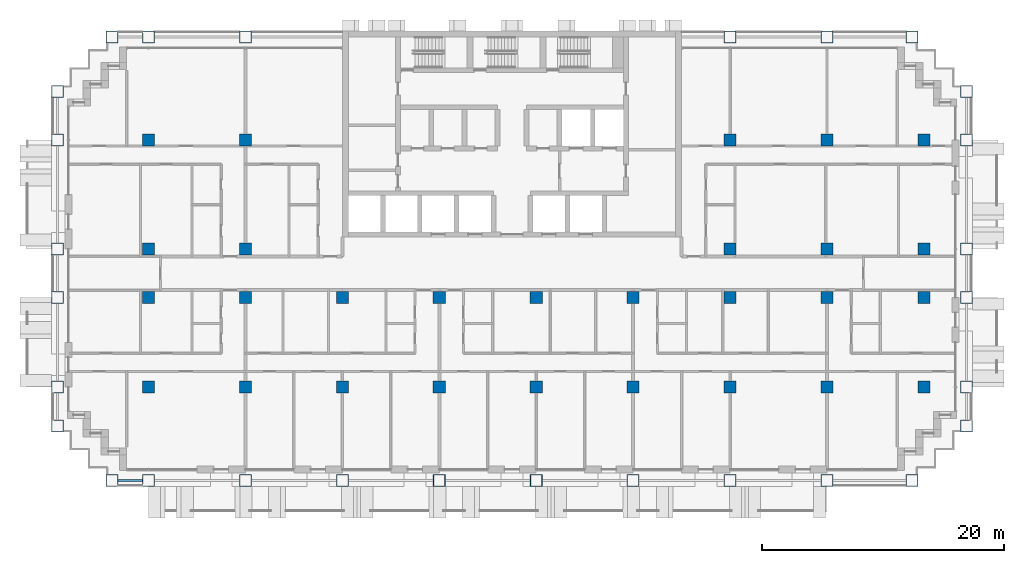
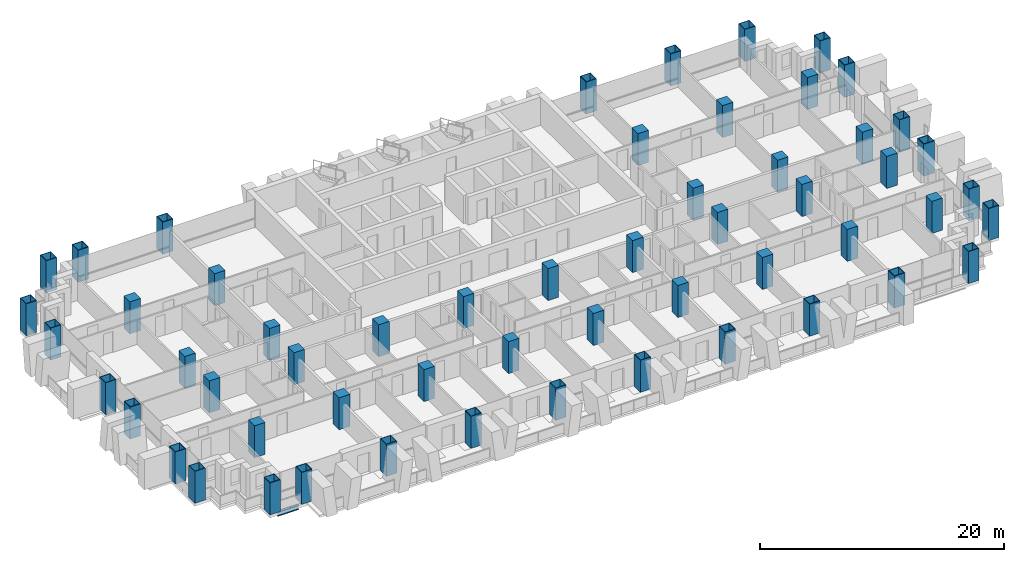
# One storey, part 1 of 19: 56 columns, 1 beam.
"""IFC4 building model written with IfcOpenShell, lengths in metres."""

from ifc_helpers import new_model, si_unit, direction, frame, origin, origin_2d, place, context, subcontext, project, spatial, rectangle, hollow_rectangle, i_section, extrude, material, material_profile, profile_set, type_object, element, save


model = new_model("IFC4")

# Units and contexts
model_context = context("Model", 3, precision=1e-05, world=origin(), true_north=direction((0.0, 1.0)))
body_context = subcontext(model_context, "Body", "Model", "MODEL_VIEW")
ifc_project = project(units=[si_unit("LENGTHUNIT", "METRE"), si_unit("AREAUNIT", "SQUARE_METRE"), si_unit("VOLUMEUNIT", "CUBIC_METRE"), si_unit("PLANEANGLEUNIT", "RADIAN"), si_unit("MASSUNIT", "GRAM", prefix="KILO")], contexts=[model_context])

# Site, building, storey
site_placement = place(None, origin())
site = spatial("IfcSite", under=ifc_project, at=site_placement, CompositionType="ELEMENT")
building_placement = place(site_placement, origin())
building = spatial("IfcBuilding", under=site, at=building_placement, Name="Vidyagriha Tower", CompositionType="ELEMENT")
storey_placement = place(building_placement, frame((0.0, 0.0, 60.800048828125)))
storey = spatial("IfcBuildingStorey", under=building, at=storey_placement, Name="L16", CompositionType="ELEMENT", Elevation=60.800048828125)

# Columns
ifc_material_1 = material(Name="Steel ASTM A572 Grade 50", Category="steel")
ifc_material_profile_1 = material_profile(ifc_material_1, hollow_rectangle(XDim=1.0, YDim=1.0, WallThickness=0.050048828125, at=origin_2d()), Name="BOX 1000x1000x50")
ifc_profile_set_1 = profile_set([ifc_material_profile_1], Name="Steel ASTM A572 Grade 50")
column_type_1 = type_object("IfcColumnType", Name="Exoskeleton column BOX 1000x1000x50", PredefinedType="COLUMN", material=ifc_profile_set_1)
for number, where, name in (
    (1, (-33.0, -17.10009765625, 0.0), "st-col-L16-B1-001"),
    (2, (-30.0, -17.10009765625, 0.0), "st-col-L16-B1-002"),
    (3, (-22.0, -17.10009765625, 0.0), "st-col-L16-B1-003"),
    (4, (-14.0, -17.10009765625, 0.0), "st-col-L16-B1-004"),
    (5, (-6.0, -17.10009765625, 0.0), "st-col-L16-B1-005"),
    (6, (2.0, -17.10009765625, 0.0), "st-col-L16-B1-006"),
    (7, (10.0, -17.10009765625, 0.0), "st-col-L16-B1-007"),
    (8, (18.0, -17.10009765625, 0.0), "st-col-L16-B1-008"),
    (9, (26.0, -17.10009765625, 0.0), "st-col-L16-B1-009"),
    (10, (33.0, -17.10009765625, 0.0), "st-col-L16-B1-010"),
    (11, (-37.5, -12.60009765625, 0.0), "st-col-L16-B1-011"),
    (12, (37.5, -12.60009765625, 0.0), "st-col-L16-B1-012"),
    (13, (-37.5, -9.39990234375, 0.0), "st-col-L16-B1-013"),
    (14, (37.5, -9.39990234375, 0.0), "st-col-L16-B1-023"),
    (15, (-37.5, -2.0, 0.0), "st-col-L16-B1-024"),
    (16, (37.5, -2.0, 0.0), "st-col-L16-B1-034"),
    (17, (-37.5, 2.0, 0.0), "st-col-L16-B1-035"),
    (18, (37.5, 2.0, 0.0), "st-col-L16-B1-041"),
    (19, (-37.5, 11.0, 0.0), "st-col-L16-B1-042"),
    (20, (37.5, 11.0, 0.0), "st-col-L16-B1-048"),
    (21, (-37.5, 15.0, 0.0), "st-col-L16-B1-049"),
    (22, (37.5, 15.0, 0.0), "st-col-L16-B1-050"),
    (23, (-33.0, 19.5, 0.0), "st-col-L16-B1-051"),
    (24, (-30.0, 19.5, 0.0), "st-col-L16-B1-052"),
    (25, (-22.0, 19.5, 0.0), "st-col-L16-B1-053"),
    (26, (18.0, 19.5, 0.0), "st-col-L16-B1-054"),
    (27, (26.0, 19.5, 0.0), "st-col-L16-B1-055"),
    (28, (33.0, 19.5, 0.0), "st-col-L16-B1-056"),
):
    element("IfcColumn", number, at=place(storey_placement, frame(where)), inside=storey, type_object=column_type_1, Name=name, PredefinedType="COLUMN", context=body_context, shape_type="SweptSolid", body=[
        extrude(hollow_rectangle(XDim=1.0, YDim=1.0, WallThickness=0.050048828125, at=origin_2d()), origin(), (0.0, 0.0, 1.0), 3.199951171875),
    ])
ifc_material_2 = material(Name="Concrete C80/95", Category="concrete")
ifc_material_profile_2 = material_profile(ifc_material_2, rectangle(XDim=1.0, YDim=1.0, at=origin_2d()), Name="RC 1000x1000")
ifc_profile_set_2 = profile_set([ifc_material_profile_2], Name="Concrete C80/95")
column_type_2 = type_object("IfcColumnType", Name="Frame column RC 1000x1000", PredefinedType="COLUMN", material=ifc_profile_set_2)
for number, where, name in (
    (29, (-30.0, -9.39990234375, 0.0), "st-col-L16-B1-014"),
    (30, (-22.0, -9.39990234375, 0.0), "st-col-L16-B1-015"),
    (31, (-14.0, -9.39990234375, 0.0), "st-col-L16-B1-016"),
    (32, (-6.0, -9.39990234375, 0.0), "st-col-L16-B1-017"),
    (33, (2.0, -9.39990234375, 0.0), "st-col-L16-B1-018"),
    (34, (10.0, -9.39990234375, 0.0), "st-col-L16-B1-019"),
    (35, (18.0, -9.39990234375, 0.0), "st-col-L16-B1-020"),
    (36, (26.0, -9.39990234375, 0.0), "st-col-L16-B1-021"),
    (37, (34.0, -9.39990234375, 0.0), "st-col-L16-B1-022"),
    (38, (-30.0, -2.0, 0.0), "st-col-L16-B1-025"),
    (39, (-22.0, -2.0, 0.0), "st-col-L16-B1-026"),
    (40, (-14.0, -2.0, 0.0), "st-col-L16-B1-027"),
    (41, (-6.0, -2.0, 0.0), "st-col-L16-B1-028"),
    (42, (2.0, -2.0, 0.0), "st-col-L16-B1-029"),
    (43, (10.0, -2.0, 0.0), "st-col-L16-B1-030"),
    (44, (18.0, -2.0, 0.0), "st-col-L16-B1-031"),
    (45, (26.0, -2.0, 0.0), "st-col-L16-B1-032"),
    (46, (34.0, -2.0, 0.0), "st-col-L16-B1-033"),
    (47, (-30.0, 2.0, 0.0), "st-col-L16-B1-036"),
    (48, (-22.0, 2.0, 0.0), "st-col-L16-B1-037"),
    (49, (18.0, 2.0, 0.0), "st-col-L16-B1-038"),
    (50, (26.0, 2.0, 0.0), "st-col-L16-B1-039"),
    (51, (34.0, 2.0, 0.0), "st-col-L16-B1-040"),
    (52, (-30.0, 11.0, 0.0), "st-col-L16-B1-043"),
    (53, (-22.0, 11.0, 0.0), "st-col-L16-B1-044"),
    (54, (18.0, 11.0, 0.0), "st-col-L16-B1-045"),
    (55, (26.0, 11.0, 0.0), "st-col-L16-B1-046"),
    (56, (34.0, 11.0, 0.0), "st-col-L16-B1-047"),
):
    element("IfcColumn", number, at=place(storey_placement, frame(where)), inside=storey, type_object=column_type_2, Name=name, PredefinedType="COLUMN", context=body_context, shape_type="SweptSolid", body=[
        extrude(rectangle(XDim=1.0, YDim=1.0, at=origin_2d()), origin(), (0.0, 0.0, 1.0), 3.199951171875),
    ])

# Beam
ifc_material_3 = material(Name="Steel ASTM A992 Grade 50", Category="steel")
ifc_material_profile_3 = material_profile(ifc_material_3, i_section(OverallWidth=0.19189453125, OverallDepth=0.46240234375, WebThickness=0.010498046875, FlangeThickness=0.017578125, at=origin_2d()), Name="W18X60")
ifc_profile_set_3 = profile_set([ifc_material_profile_3], Name="Steel ASTM A992 Grade 50")
beam_type = type_object("IfcBeamType", Name="Edge beam W18X60", PredefinedType="SPANDREL", material=ifc_profile_set_3)
beam_placement = place(storey_placement, frame((-32.5, -17.10009765625, -0.51123046875), z_axis=(1.0, 0.0, 0.0), x_axis=(0.0, 1.0, 0.0)))
element("IfcBeam", 57, at=beam_placement, inside=storey, type_object=beam_type, Name="st-beam-L16-S01", PredefinedType="SPANDREL", context=body_context, shape_type="SweptSolid", body=[
    extrude(i_section(OverallWidth=0.19189453125, OverallDepth=0.46240234375, WebThickness=0.010498046875, FlangeThickness=0.017578125, at=origin_2d()), origin(), (0.0, 0.0, 1.0), 2.0),
])

save(model, "model.ifc")
